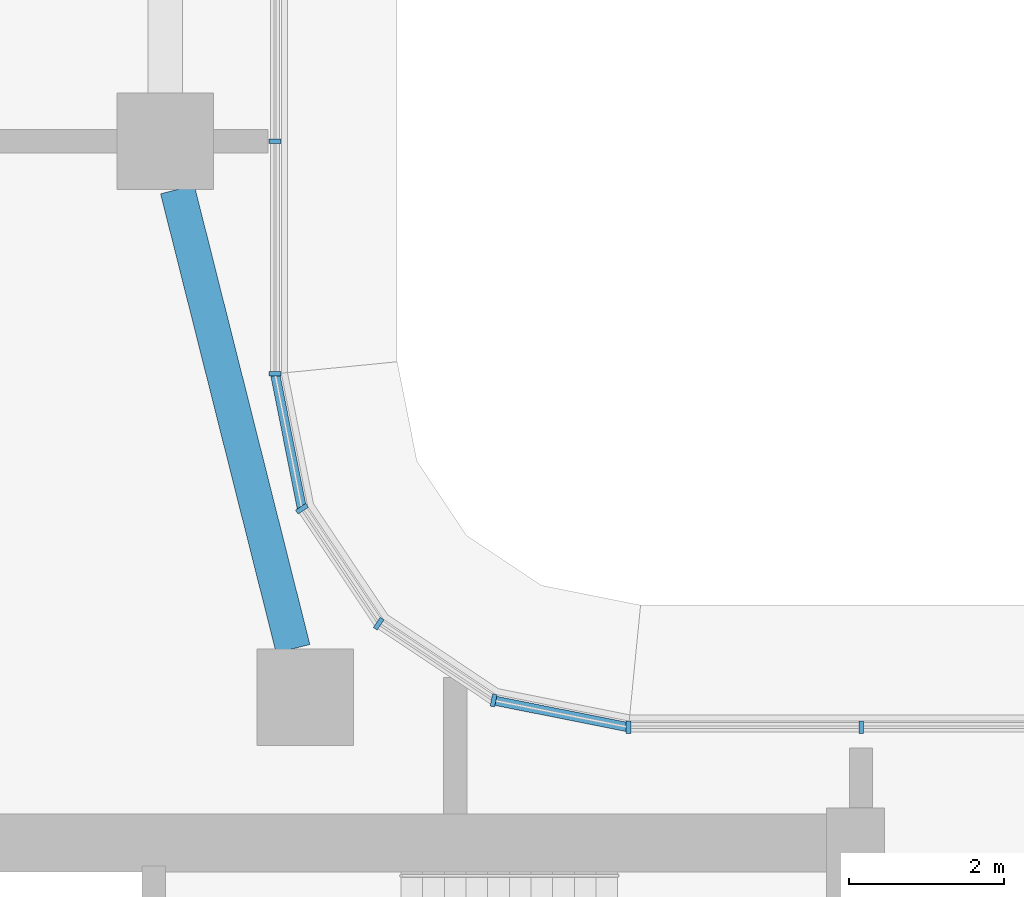
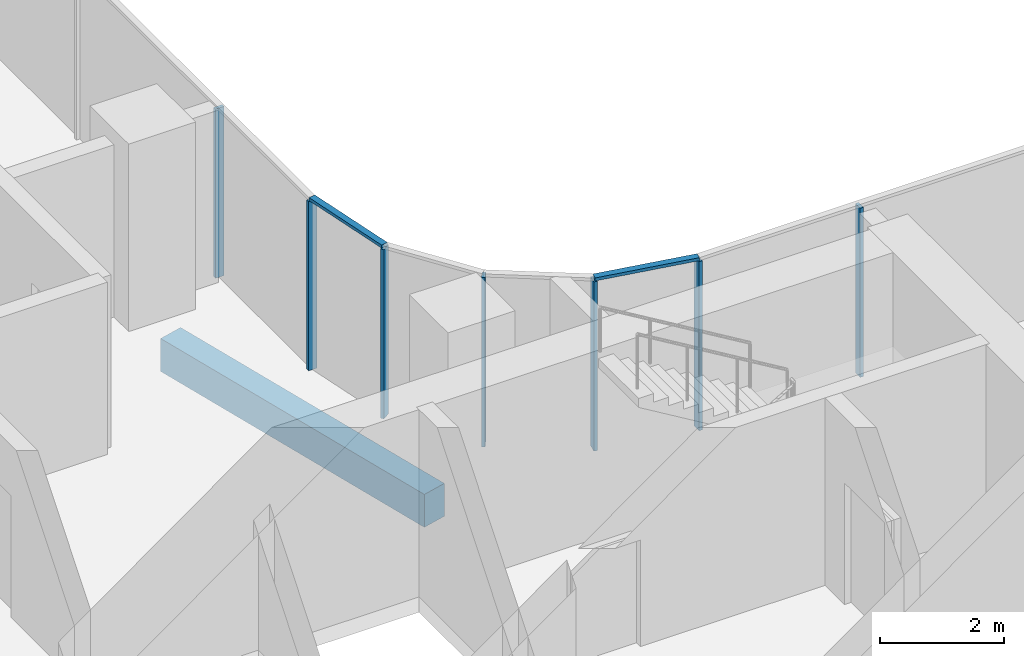
# One storey, part 2 of 25: 9 members, 1 beam, 3 elements without a shape of their own.
"""IFC4 building model written with IfcOpenShell, lengths in metres."""

from ifc_helpers import new_model, si_unit, direction, frame, origin, origin_2d, place, context, subcontext, project, spatial, rectangle, extrude, material, material_profile, profile_set, type_object, element, aggregate, save


model = new_model("IFC4")

# Units and contexts
model_context = context("Model", 3, precision=1e-05, world=origin(), true_north=direction((0.0, 1.0)))
body_context = subcontext(model_context, "Body", "Model", "MODEL_VIEW")
ifc_project = project(units=[si_unit("LENGTHUNIT", "METRE"), si_unit("AREAUNIT", "SQUARE_METRE"), si_unit("VOLUMEUNIT", "CUBIC_METRE"), si_unit("PLANEANGLEUNIT", "RADIAN"), si_unit("MASSUNIT", "GRAM", prefix="KILO")], contexts=[model_context])

# Site, building, storey
site_placement = place(None, origin())
site = spatial("IfcSite", under=ifc_project, at=site_placement, CompositionType="ELEMENT")
building_placement = place(site_placement, origin())
building = spatial("IfcBuilding", under=site, at=building_placement, Name="Ogive Portal Towers", CompositionType="ELEMENT")
storey_placement = place(building_placement, frame((0.0, 0.0, 105.60009765625)))
storey = spatial("IfcBuildingStorey", under=building, at=storey_placement, Name="L25", CompositionType="ELEMENT", Elevation=105.60009765625)

# Curtain wall, members
ifc_material_1 = material(Name="Glass, clear low-iron insulated glazing", Category="glass")
curtain_wall_type = type_object("IfcCurtainWallType", Name="CW FRONT RIBBON 4500", PredefinedType="NOTDEFINED", material=ifc_material_1)
curtain_wall_1_placement = place(storey_placement, origin())
curtain_wall_1 = element("IfcCurtainWall", 1, at=curtain_wall_1_placement, inside=storey, type_object=curtain_wall_type, Name="A:L25:f12:cw0", PredefinedType="NOTDEFINED")
ifc_material_2 = material(Name="Aluminium 6063 anodised", Category="aluminium")
ifc_material_profile_1 = material_profile(ifc_material_2, rectangle(XDim=0.159912109375, YDim=0.06005859375, at=origin_2d()), Name="AL 60x160")
ifc_profile_set_1 = profile_set([ifc_material_profile_1], Name="Aluminium 6063 anodised")
member_type_1 = type_object("IfcMemberType", Name="CW MULLION 60x160", PredefinedType="MULLION", material=ifc_profile_set_1)
member_1_placement = place(storey_placement, frame((58.5, 40.919921875, 0.0), z_axis=(0.0, 0.0, 1.0), x_axis=(0.0, -1.0, 0.0)))
member_1 = element("IfcMember", 2, at=member_1_placement, type_object=member_type_1, Name="mullion", PredefinedType="MULLION", context=body_context, shape_type="SweptSolid", body=[
    extrude(rectangle(XDim=0.159912109375, YDim=0.06005859375, at=origin_2d()), origin(), (0.0, 0.0, 1.0), 3.33984375),
])
member_2_placement = place(storey_placement, frame((55.4921875, 40.919921875, 0.0), z_axis=(0.0, 0.0, 1.0), x_axis=(0.0, -1.0, 0.0)))
member_2 = element("IfcMember", 3, at=member_2_placement, type_object=member_type_1, Name="mullion", PredefinedType="MULLION", context=body_context, shape_type="SweptSolid", body=[
    extrude(rectangle(XDim=0.159912109375, YDim=0.06005859375, at=origin_2d()), origin(), (0.0, 0.0, 1.0), 3.33984375),
])
aggregate(curtain_wall_1, [member_1, member_2])

curtain_wall_2_placement = place(storey_placement, origin())
curtain_wall_2 = element("IfcCurtainWall", 4, at=curtain_wall_2_placement, inside=storey, type_object=curtain_wall_type, Name="A:L25:f17:cw0", PredefinedType="NOTDEFINED")
member_3_placement = place(storey_placement, frame((50.919921875, 45.4921875, 0.0), z_axis=(0.0, 0.0, 1.0), x_axis=(-1.0, 0.0, 0.0)))
member_3 = element("IfcMember", 5, at=member_3_placement, type_object=member_type_1, Name="mullion", PredefinedType="MULLION", context=body_context, shape_type="SweptSolid", body=[
    extrude(rectangle(XDim=0.159912109375, YDim=0.06005859375, at=origin_2d()), origin(), (0.0, 0.0, 1.0), 3.33984375),
])
member_4_placement = place(storey_placement, frame((50.919921875, 48.5, 0.0), z_axis=(0.0, 0.0, 1.0), x_axis=(-1.0, 0.0, 0.0)))
member_4 = element("IfcMember", 6, at=member_4_placement, type_object=member_type_1, Name="mullion", PredefinedType="MULLION", context=body_context, shape_type="SweptSolid", body=[
    extrude(rectangle(XDim=0.159912109375, YDim=0.06005859375, at=origin_2d()), origin(), (0.0, 0.0, 1.0), 3.33984375),
])
aggregate(curtain_wall_2, [member_3, member_4])

curtain_wall_3_placement = place(storey_placement, origin())
curtain_wall_3 = element("IfcCurtainWall", 7, at=curtain_wall_3_placement, inside=storey, type_object=curtain_wall_type, Name="A:L25:f13:cwa", PredefinedType="NOTDEFINED")
member_5_placement = place(storey_placement, frame((53.746826171875, 41.26708984375, 0.0), z_axis=(0.0, 0.0, 1.0), x_axis=(-0.195090322016, -0.980785280403, 0.0)))
member_5 = element("IfcMember", 8, at=member_5_placement, type_object=member_type_1, Name="mullion", PredefinedType="MULLION", context=body_context, shape_type="SweptSolid", body=[
    extrude(rectangle(XDim=0.159912109375, YDim=0.06005859375, at=origin_2d()), origin(), (0.0, 0.0, 1.0), 3.33984375),
])
member_6_placement = place(storey_placement, frame((52.26025390625, 42.26025390625, 0.0), z_axis=(0.0, 0.0, 1.0), x_axis=(-0.55557023302, -0.831469612303, 0.0)))
member_6 = element("IfcMember", 9, at=member_6_placement, type_object=member_type_1, Name="mullion", PredefinedType="MULLION", context=body_context, shape_type="SweptSolid", body=[
    extrude(rectangle(XDim=0.159912109375, YDim=0.06005859375, at=origin_2d()), origin(), (0.0, 0.0, 1.0), 3.33984375),
])
member_7_placement = place(storey_placement, frame((51.26708984375, 43.746826171875, 0.0), z_axis=(0.0, 0.0, 1.0), x_axis=(-0.831469612303, -0.55557023302, 0.0)))
member_7 = element("IfcMember", 10, at=member_7_placement, type_object=member_type_1, Name="mullion", PredefinedType="MULLION", context=body_context, shape_type="SweptSolid", body=[
    extrude(rectangle(XDim=0.159912109375, YDim=0.06005859375, at=origin_2d()), origin(), (0.0, 0.0, 1.0), 3.33984375),
])
ifc_material_profile_2 = material_profile(ifc_material_2, rectangle(XDim=0.1201171875, YDim=0.06005859375, at=origin_2d()), Name="AL 120x60")
ifc_profile_set_2 = profile_set([ifc_material_profile_2], Name="Aluminium 6063 anodised")
member_type_2 = type_object("IfcMemberType", Name="CW TRANSOM 60x120", PredefinedType="USERDEFINED", material=ifc_profile_set_2)
member_8_placement = place(storey_placement, frame((55.4921875, 40.919921875, 3.369873046875), z_axis=(-0.980785923915, 0.195087086838, 0.0), x_axis=(-0.195087086838, -0.980785923915, 0.0)))
member_8 = element("IfcMember", 11, at=member_8_placement, type_object=member_type_2, Name="transom", ObjectType="TRANSOM", PredefinedType="USERDEFINED", context=body_context, shape_type="SweptSolid", body=[
    extrude(rectangle(XDim=0.1201171875, YDim=0.06005859375, at=origin_2d()), origin(), (0.0, 0.0, 1.0), 1.779541015625),
])
member_9_placement = place(storey_placement, frame((51.26708984375, 43.746826171875, 3.369873046875), z_axis=(-0.195087086838, 0.980785923915, 0.0), x_axis=(-0.980785923915, -0.195087086838, 0.0)))
member_9 = element("IfcMember", 12, at=member_9_placement, type_object=member_type_2, Name="transom", ObjectType="TRANSOM", PredefinedType="USERDEFINED", context=body_context, shape_type="SweptSolid", body=[
    extrude(rectangle(XDim=0.1201171875, YDim=0.06005859375, at=origin_2d()), origin(), (0.0, 0.0, 1.0), 1.779541015625),
])
aggregate(curtain_wall_3, [member_8, member_9, member_5, member_6, member_7])

# Beam
ifc_material_3 = material(Name="Concrete C50/60", Category="concrete")
ifc_material_profile_3 = material_profile(ifc_material_3, rectangle(XDim=0.449951171875, YDim=0.64990234375, at=origin_2d()), Name="RC 450x650")
ifc_profile_set_3 = profile_set([ifc_material_profile_3], Name="Concrete C50/60")
beam_type = type_object("IfcBeamType", Name="SPANDREL BEAM RC 450x650", PredefinedType="BEAM", material=ifc_profile_set_3)
beam_placement = place(storey_placement, frame((49.6572265625, 47.875, -0.625), z_axis=(0.24412961337, -0.969742611148, 0.0), x_axis=(0.969742611148, 0.24412961337, 0.0)))
element("IfcBeam", 13, at=beam_placement, inside=storey, type_object=beam_type, Name="Spandrel beam L25", PredefinedType="BEAM", context=body_context, shape_type="SweptSolid", body=[
    extrude(rectangle(XDim=0.449951171875, YDim=0.64990234375, at=origin_2d()), origin(), (0.0, 0.0, 1.0), 6.125244140625),
])

save(model, "model.ifc")
